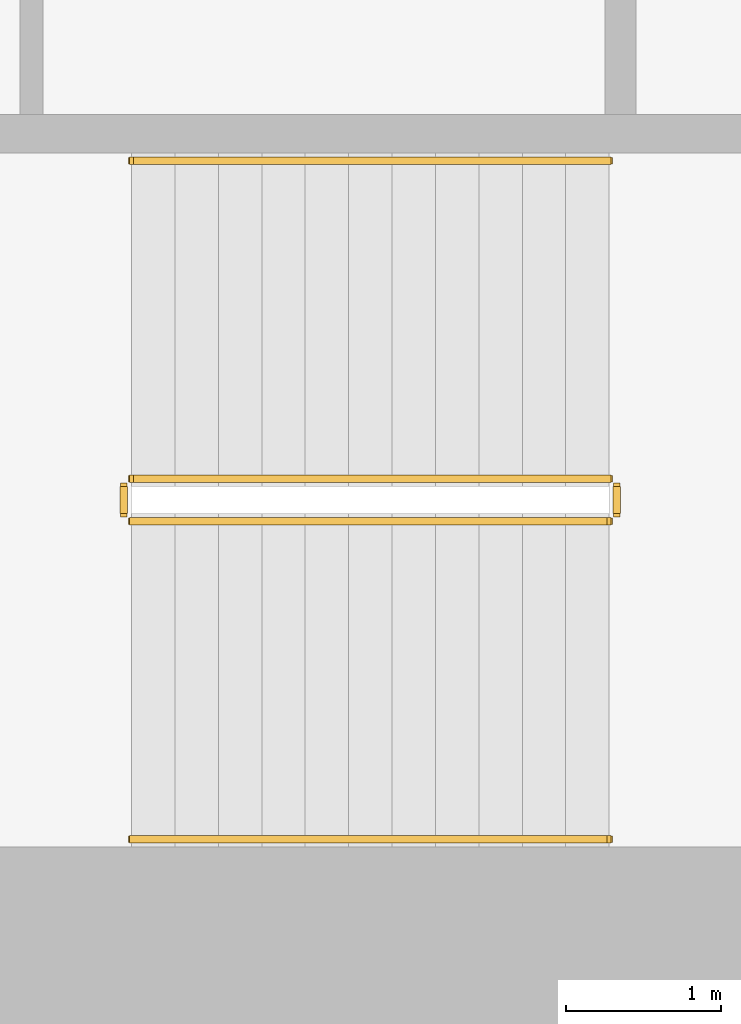
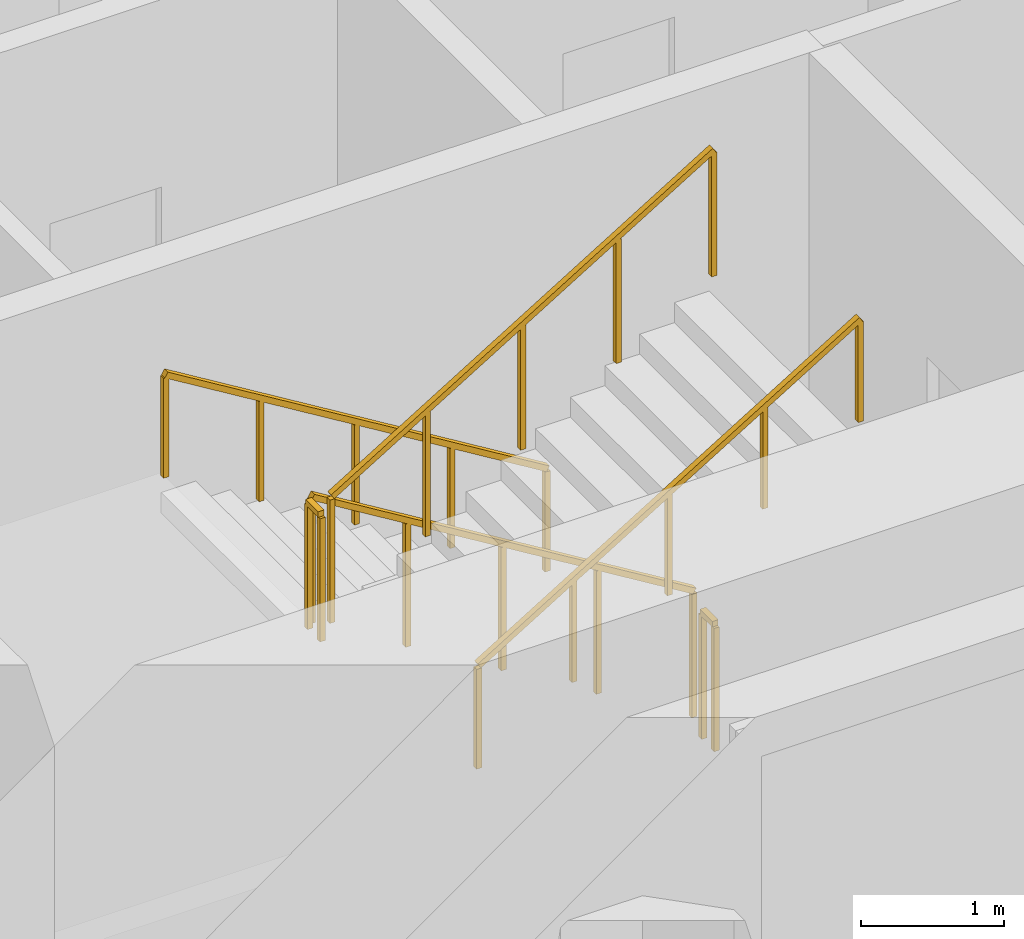
# One storey, part 11 of 16: 6 railings.
"""IFC4 building model written with IfcOpenShell, lengths in metres."""

import ifcopenshell
import ifcopenshell.guid

model = None  # the IFC model being written
_history = None  # IfcOwnerHistory: only IFC2X3 demands one
_inside = {}  # id of a spatial element -> (the spatial element, [elements in it])
_under = {}  # id of a project, library or spatial element -> (it, [spatial elements below it])
_declared = {}  # id of a project -> (the project, [libraries it declares])
_typed = {}  # id of a type object -> (the type object, [elements of that type])
_made_of = {}  # id of a material, layer set ... -> (it, [elements and type objects made of it])


def new_model(schema):
    """Start an empty IFC model of exactly this schema.

    Asked for "IFC4X3", IfcOpenShell would pick the latest addendum, in which some entities
    have other attributes; the version numbers below select the first issue.
    IFC2X3 requires an IfcOwnerHistory on every rooted entity: one is made here for all.
    """
    global model, _history
    if schema == "IFC4X3":
        model = ifcopenshell.file(schema_version=(4, 3, 0, 0))
    else:
        model = ifcopenshell.file(schema=schema)
    _inside.clear()
    _under.clear()
    _declared.clear()
    _typed.clear()
    _made_of.clear()
    _history = None
    if model.schema == "IFC2X3":
        org = make("IfcOrganization", Name="unknown")
        user = make(
            "IfcPersonAndOrganization",
            ThePerson=make("IfcPerson", FamilyName="unknown"),
            TheOrganization=org,
        )
        app = make(
            "IfcApplication",
            ApplicationDeveloper=org,
            Version="unknown",
            ApplicationFullName="unknown",
            ApplicationIdentifier="unknown",
        )
        _history = make(
            "IfcOwnerHistory",
            OwningUser=user,
            OwningApplication=app,
            ChangeAction="ADDED",
            CreationDate=0,
        )
    return model


def make(cls, **values):
    """One entity of the class cls with the attributes given. An attribute that is None is left unset."""
    return model.create_entity(
        cls, **{name: value for name, value in values.items() if value is not None}
    )


def rooted(cls, **values):
    """An entity with a GlobalId (a new one), such as an element, a storey or a relation."""
    return make(cls, GlobalId=ifcopenshell.guid.new(), OwnerHistory=_history, **values)


def si_unit(unit_type, name, prefix=None):
    """IfcSIUnit, for example si_unit("LENGTHUNIT", "METRE", prefix="MILLI")."""
    return make("IfcSIUnit", UnitType=unit_type, Prefix=prefix, Name=name)


def assignment(units):
    """IfcUnitAssignment: the units of a project."""
    return None if units is None else make("IfcUnitAssignment", Units=units)


def point(xyz):
    """IfcCartesianPoint."""
    return None if xyz is None else make("IfcCartesianPoint", Coordinates=xyz)


def direction(xyz):
    """IfcDirection."""
    return None if xyz is None else make("IfcDirection", DirectionRatios=xyz)


def frame(location, z_axis=None, x_axis=None):
    """IfcAxis2Placement3D, a coordinate frame: its origin and axes. An axis left out is left unset."""
    return make(
        "IfcAxis2Placement3D",
        Location=point(location),
        Axis=direction(z_axis),
        RefDirection=direction(x_axis),
    )


def frame_2d(location, x_axis=None):
    """IfcAxis2Placement2D, a coordinate frame in the plane: its origin and x axis."""
    return make(
        "IfcAxis2Placement2D", Location=point(location), RefDirection=direction(x_axis)
    )


def origin():
    """The frame at (0, 0, 0) with its axes left unset."""
    return frame((0.0, 0.0, 0.0))


def origin_2d():
    """The frame at (0, 0) in the plane with its x axis left unset."""
    return frame_2d((0.0, 0.0))


def place(relative_to, where):
    """IfcLocalPlacement: puts the frame where relative to a parent placement (None: the world)."""
    return make(
        "IfcLocalPlacement", PlacementRelTo=relative_to, RelativePlacement=where
    )


def context(
    kind, dimensions, precision=None, world=None, true_north=None, identifier=None
):
    """IfcGeometricRepresentationContext, for example the 3D "Model" context."""
    return make(
        "IfcGeometricRepresentationContext",
        ContextIdentifier=identifier,
        ContextType=kind,
        CoordinateSpaceDimension=dimensions,
        Precision=precision,
        WorldCoordinateSystem=world,
        TrueNorth=true_north,
    )


def subcontext(parent, identifier, kind, view, scale=None):
    """IfcGeometricRepresentationSubContext, for example "Body" below "Model"."""
    return make(
        "IfcGeometricRepresentationSubContext",
        ContextIdentifier=identifier,
        ContextType=kind,
        ParentContext=parent,
        TargetScale=scale,
        TargetView=view,
    )


def project(units=None, contexts=None):
    """IfcProject with its units and contexts."""
    return rooted(
        "IfcProject",
        Name="project",
        RepresentationContexts=contexts,
        UnitsInContext=assignment(units),
    )


def spatial(cls, under=None, at=None, **own):
    """A site, building, storey or space (cls), placed at a placement, below another one or the project."""
    s = rooted(cls, ObjectPlacement=at, **own)
    if under is not None:
        _under.setdefault(under.id(), (under, []))[1].append(s)
    return s


def profile(cls, at=None, kind="AREA", **sizes):
    """A parametric profile (cls). Its sizes go by their IFC names, for example OverallWidth=200.0."""
    return make(cls, ProfileType=kind, Position=at, **sizes)


def rectangle(**sizes):
    """IfcRectangleProfileDef."""
    return profile("IfcRectangleProfileDef", **sizes)


def extrude(swept, where, along, depth):
    """IfcExtrudedAreaSolid: the profile swept, set in the frame where, extruded along a direction by depth."""
    return make(
        "IfcExtrudedAreaSolid",
        SweptArea=swept,
        Position=where,
        ExtrudedDirection=direction(along),
        Depth=depth,
    )


def shape(context_of_items, identifier, shape_type, items):
    """IfcShapeRepresentation: the items that make up one representation, for example the "Body"."""
    return make(
        "IfcShapeRepresentation",
        ContextOfItems=context_of_items,
        RepresentationIdentifier=identifier,
        RepresentationType=shape_type,
        Items=items,
    )


def material(Name=None, Category=None):
    """IfcMaterial."""
    return make("IfcMaterial", Name=Name, Category=Category)


def made_of(thing, what):
    """Note that an element or type object is made of a material, layer set ...; save() writes the relation."""
    if what is not None:
        _made_of.setdefault(what.id(), (what, []))[1].append(thing)
    return thing


def type_object(cls, material=None, **own):
    """A type object (cls), such as IfcWallType, which elements share."""
    return made_of(rooted(cls, **own), material)


def element(
    cls,
    number,
    at=None,
    inside=None,
    cuts=None,
    type_object=None,
    material=None,
    context=None,
    identifier="Body",
    shape_type=None,
    held_by="IfcProductDefinitionShape",
    body=None,
    shapes=None,
    **own,
):
    """One element of the class cls, such as IfcWall. Its Tag is "e" and its number.

    at: its placement. inside: the storey or other place that contains it. cuts: it is an
    opening in that element (IfcRelVoidsElement). A single representation is given by context,
    identifier, shape_type and body (its items); several are given by shapes. held_by: the class
    of the entity that holds the representations. save() writes the other relations.
    """
    e = rooted(cls, Tag="e%d" % number, ObjectPlacement=at, **own)
    if body is not None:
        shapes = [shape(context, identifier, shape_type, body)]
    if shapes is not None:
        e.Representation = make(held_by, Representations=shapes)
    if inside is not None:
        _inside.setdefault(inside.id(), (inside, []))[1].append(e)
    if cuts is not None:
        rooted(
            "IfcRelVoidsElement", RelatingBuildingElement=cuts, RelatedOpeningElement=e
        )
    if type_object is not None:
        _typed.setdefault(type_object.id(), (type_object, []))[1].append(e)
    return made_of(e, material)


def aggregate(whole, parts):
    """IfcRelAggregates: a whole, such as a stair, and the parts it consists of."""
    return rooted("IfcRelAggregates", RelatingObject=whole, RelatedObjects=parts)


def save(model, path):
    """Write the relations noted so far, then the file.

    IfcRelAggregates (storeys below a building ...), IfcRelContainedInSpatialStructure (elements
    in a storey), IfcRelDefinesByType, IfcRelAssociatesMaterial and IfcRelDeclares: one each for
    every whole, place, type object, material and project.
    """
    for whole, parts in _under.values():
        aggregate(whole, parts)
    for where, things in _inside.values():
        rooted(
            "IfcRelContainedInSpatialStructure",
            RelatedElements=things,
            RelatingStructure=where,
        )
    for kind, things in _typed.values():
        rooted("IfcRelDefinesByType", RelatedObjects=things, RelatingType=kind)
    for what, things in _made_of.values():
        rooted("IfcRelAssociatesMaterial", RelatedObjects=things, RelatingMaterial=what)
    for by, libraries in _declared.values():
        rooted("IfcRelDeclares", RelatingContext=by, RelatedDefinitions=libraries)
    model.write(path)


model = new_model("IFC4")

# Units and contexts
model_context = context("Model", 3, precision=1e-05, world=origin(), true_north=direction((0.0, 1.0)))
body_context = subcontext(model_context, "Body", "Model", "MODEL_VIEW")
ifc_project = project(units=[si_unit("LENGTHUNIT", "METRE"), si_unit("AREAUNIT", "SQUARE_METRE"), si_unit("VOLUMEUNIT", "CUBIC_METRE"), si_unit("PLANEANGLEUNIT", "RADIAN"), si_unit("MASSUNIT", "GRAM", prefix="KILO")], contexts=[model_context])

# Site, building, storey
site_placement = place(None, origin())
site = spatial("IfcSite", under=ifc_project, at=site_placement, CompositionType="ELEMENT")
building_placement = place(site_placement, origin())
building = spatial("IfcBuilding", under=site, at=building_placement, Name="Cypress Arch Tower", CompositionType="ELEMENT")
storey_placement = place(building_placement, frame((0.0, 0.0, 172.800048828125)))
storey = spatial("IfcBuildingStorey", under=building, at=storey_placement, Name="L37", CompositionType="ELEMENT", Elevation=172.800048828125)

# Railings
ifc_material_1 = material(Name="Black powder-coated steel square bar 48 mm", Category="steel")
railing_type_1 = type_object("IfcRailingType", Name="Stair handrail HR1", PredefinedType="HANDRAIL", material=ifc_material_1)
railing_1_placement = place(storey_placement, frame((-22.27490234375, -10.375, 0.1708984375)))
element("IfcRailing", 1, at=railing_1_placement, inside=storey, type_object=railing_type_1, Name="L37 A stair handrail 1", PredefinedType="HANDRAIL", context=body_context, shape_type="SweptSolid", body=[
    extrude(rectangle(XDim=0.048095703125, YDim=0.048095703125, at=origin_2d()), frame((0.0, 0.0, 0.8759765625), z_axis=(-0.853666305674, 0.0, 0.52082035152), x_axis=(0.0, -1.0, 0.0)), (0.0, 0.0, 1.0), 3.608154296875),
    extrude(rectangle(XDim=0.0419921875, YDim=0.0419921875, at=origin_2d()), origin(), (0.0, 0.0, 1.0), 0.851806640625),
    extrude(rectangle(XDim=0.0419921875, YDim=0.0419921875, at=origin_2d()), frame((-0.77001953125, 0.0, 0.4697265625)), (0.0, 0.0, 1.0), 0.851806640625),
    extrude(rectangle(XDim=0.0419921875, YDim=0.0419921875, at=origin_2d()), frame((-1.5400390625, 0.0, 0.939453125)), (0.0, 0.0, 1.0), 0.851806640625),
    extrude(rectangle(XDim=0.0419921875, YDim=0.0419921875, at=origin_2d()), frame((-2.31005859375, 0.0, 1.409423828125)), (0.0, 0.0, 1.0), 0.851806640625),
    extrude(rectangle(XDim=0.0419921875, YDim=0.0419921875, at=origin_2d()), frame((-3.080078125, 0.0, 1.879150390625)), (0.0, 0.0, 1.0), 0.851806640625),
])
railing_2_placement = place(storey_placement, frame((-25.35498046875, -14.75, 2.220703125)))
element("IfcRailing", 2, at=railing_2_placement, inside=storey, type_object=railing_type_1, Name="L37 A stair handrail 2", PredefinedType="HANDRAIL", context=body_context, shape_type="SweptSolid", body=[
    extrude(rectangle(XDim=0.048095703125, YDim=0.048095703125, at=origin_2d()), frame((0.0, 0.0, 0.8759765625), z_axis=(0.853666305674, 0.0, 0.52082035152), x_axis=(0.0, 1.0, 0.0)), (0.0, 0.0, 1.0), 3.608154296875),
    extrude(rectangle(XDim=0.0419921875, YDim=0.0419921875, at=origin_2d()), origin(), (0.0, 0.0, 1.0), 0.851806640625),
    extrude(rectangle(XDim=0.0419921875, YDim=0.0419921875, at=origin_2d()), frame((0.77001953125, 0.0, 0.4697265625)), (0.0, 0.0, 1.0), 0.851806640625),
    extrude(rectangle(XDim=0.0419921875, YDim=0.0419921875, at=origin_2d()), frame((1.5400390625, 0.0, 0.939453125)), (0.0, 0.0, 1.0), 0.851806640625),
    extrude(rectangle(XDim=0.0419921875, YDim=0.0419921875, at=origin_2d()), frame((2.31005859375, 0.0, 1.409423828125)), (0.0, 0.0, 1.0), 0.851806640625),
    extrude(rectangle(XDim=0.0419921875, YDim=0.0419921875, at=origin_2d()), frame((3.080078125, 0.0, 1.879150390625)), (0.0, 0.0, 1.0), 0.851806640625),
])
ifc_material_2 = material(Name="Black powder-coated steel balusters", Category="steel")
railing_type_2 = type_object("IfcRailingType", Name="Stair well guard G1", PredefinedType="GUARDRAIL", material=ifc_material_2)
railing_3_placement = place(storey_placement, frame((-22.27490234375, -12.425048828125, 0.1708984375)))
element("IfcRailing", 3, at=railing_3_placement, inside=storey, type_object=railing_type_2, Name="L37 A stair guard 1", PredefinedType="GUARDRAIL", context=body_context, shape_type="SweptSolid", body=[
    extrude(rectangle(XDim=0.048095703125, YDim=0.048095703125, at=origin_2d()), frame((0.0, 0.0, 1.076171875), z_axis=(-0.853666305674, 0.0, 0.52082035152), x_axis=(0.0, -1.0, 0.0)), (0.0, 0.0, 1.0), 3.608154296875),
    extrude(rectangle(XDim=0.0419921875, YDim=0.0419921875, at=origin_2d()), origin(), (0.0, 0.0, 1.0), 1.052001953125),
    extrude(rectangle(XDim=0.0419921875, YDim=0.0419921875, at=origin_2d()), frame((-0.77001953125, 0.0, 0.4697265625)), (0.0, 0.0, 1.0), 1.052001953125),
    extrude(rectangle(XDim=0.0419921875, YDim=0.0419921875, at=origin_2d()), frame((-1.5400390625, 0.0, 0.939453125)), (0.0, 0.0, 1.0), 1.052001953125),
    extrude(rectangle(XDim=0.0419921875, YDim=0.0419921875, at=origin_2d()), frame((-2.31005859375, 0.0, 1.409423828125)), (0.0, 0.0, 1.0), 1.052001953125),
    extrude(rectangle(XDim=0.0419921875, YDim=0.0419921875, at=origin_2d()), frame((-3.080078125, 0.0, 1.879150390625)), (0.0, 0.0, 1.0), 1.052001953125),
])
railing_4_placement = place(storey_placement, frame((-25.405029296875, -12.47509765625, 2.050048828125)))
element("IfcRailing", 4, at=railing_4_placement, inside=storey, type_object=railing_type_2, Name="L37 A stair guard 2", PredefinedType="GUARDRAIL", context=body_context, shape_type="SweptSolid", body=[
    extrude(rectangle(XDim=0.048095703125, YDim=0.048095703125, at=origin_2d()), frame((0.0, 0.0, 1.076171875), z_axis=(0.0, -1.0, 0.0), x_axis=(1.0, 0.0, 0.0)), (0.0, 0.0, 1.0), 0.1748046875),
    extrude(rectangle(XDim=0.0419921875, YDim=0.0419921875, at=origin_2d()), origin(), (0.0, 0.0, 1.0), 1.052001953125),
    extrude(rectangle(XDim=0.0419921875, YDim=0.0419921875, at=origin_2d()), frame((0.0, -0.1748046875, 0.0)), (0.0, 0.0, 1.0), 1.052001953125),
])
railing_5_placement = place(storey_placement, frame((-25.35498046875, -12.699951171875, 2.220703125)))
element("IfcRailing", 5, at=railing_5_placement, inside=storey, type_object=railing_type_2, Name="L37 A stair guard 3", PredefinedType="GUARDRAIL", context=body_context, shape_type="SweptSolid", body=[
    extrude(rectangle(XDim=0.048095703125, YDim=0.048095703125, at=origin_2d()), frame((0.0, 0.0, 1.076171875), z_axis=(0.853666305674, 0.0, 0.52082035152), x_axis=(0.0, 1.0, 0.0)), (0.0, 0.0, 1.0), 3.608154296875),
    extrude(rectangle(XDim=0.0419921875, YDim=0.0419921875, at=origin_2d()), origin(), (0.0, 0.0, 1.0), 1.052001953125),
    extrude(rectangle(XDim=0.0419921875, YDim=0.0419921875, at=origin_2d()), frame((0.77001953125, 0.0, 0.4697265625)), (0.0, 0.0, 1.0), 1.052001953125),
    extrude(rectangle(XDim=0.0419921875, YDim=0.0419921875, at=origin_2d()), frame((1.5400390625, 0.0, 0.939453125)), (0.0, 0.0, 1.0), 1.052001953125),
    extrude(rectangle(XDim=0.0419921875, YDim=0.0419921875, at=origin_2d()), frame((2.31005859375, 0.0, 1.409423828125)), (0.0, 0.0, 1.0), 1.052001953125),
    extrude(rectangle(XDim=0.0419921875, YDim=0.0419921875, at=origin_2d()), frame((3.080078125, 0.0, 1.879150390625)), (0.0, 0.0, 1.0), 1.052001953125),
])
railing_6_placement = place(storey_placement, frame((-22.22509765625, -12.47509765625, 0.0)))
element("IfcRailing", 6, at=railing_6_placement, inside=storey, type_object=railing_type_2, Name="L37 A stair guard 4", PredefinedType="GUARDRAIL", context=body_context, shape_type="SweptSolid", body=[
    extrude(rectangle(XDim=0.048095703125, YDim=0.048095703125, at=origin_2d()), frame((0.0, 0.0, 1.076171875), z_axis=(0.0, -1.0, 0.0), x_axis=(1.0, 0.0, 0.0)), (0.0, 0.0, 1.0), 0.1748046875),
    extrude(rectangle(XDim=0.0419921875, YDim=0.0419921875, at=origin_2d()), origin(), (0.0, 0.0, 1.0), 1.052001953125),
    extrude(rectangle(XDim=0.0419921875, YDim=0.0419921875, at=origin_2d()), frame((0.0, -0.1748046875, 0.0)), (0.0, 0.0, 1.0), 1.052001953125),
])

save(model, "model.ifc")
